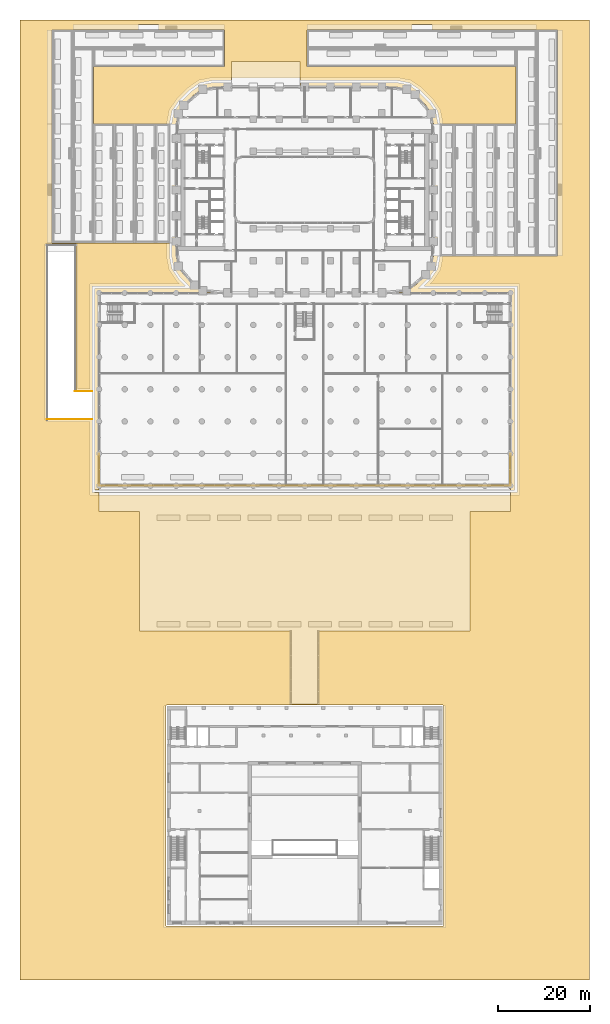
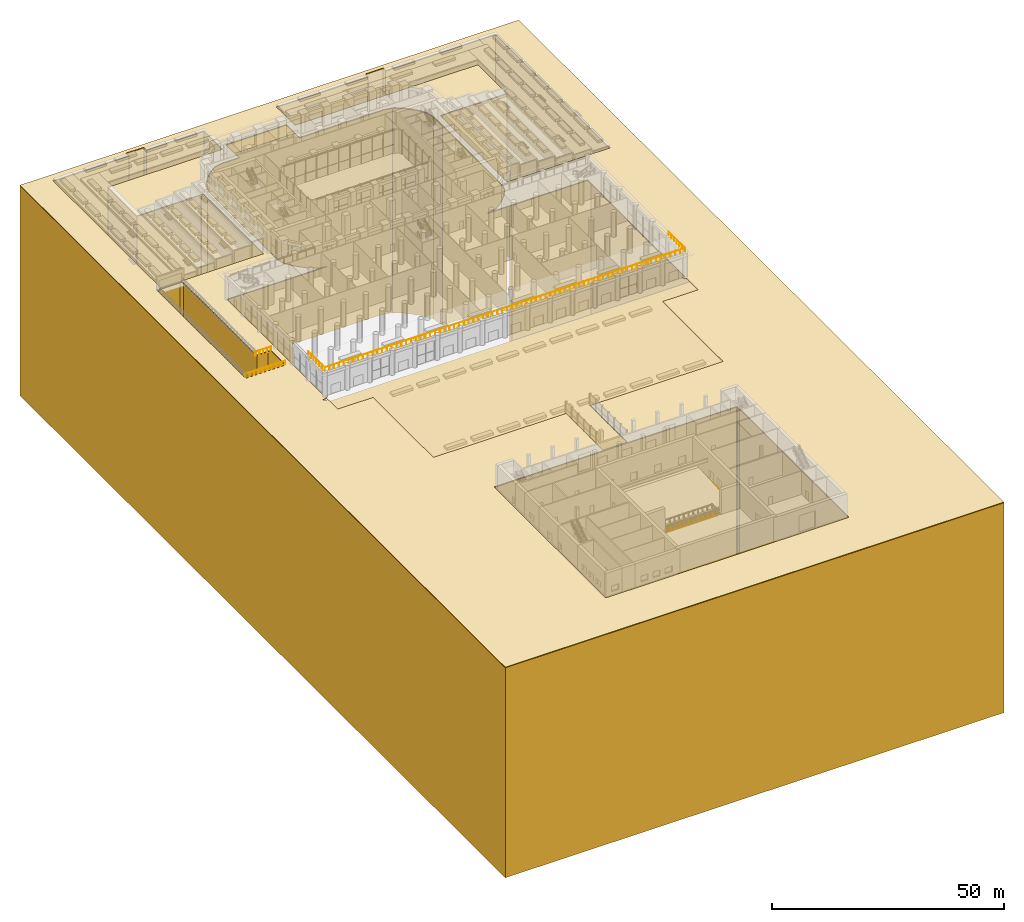
# One storey, part 45 of 51: 3 railings, 2 coverings.
"""IFC4 building model written with IfcOpenShell, lengths in metres."""

from ifc_helpers import new_model, si_unit, direction, frame, origin, origin_2d, place, context, subcontext, project, spatial, polyline, circle, outline, extrude, material, layer, layer_set, type_object, element, save


model = new_model("IFC4")

# Units and contexts
model_context = context("Model", 3, precision=1e-05, world=origin(), true_north=direction((0.0, 1.0)))
body_context = subcontext(model_context, "Body", "Model", "MODEL_VIEW")
ifc_project = project(units=[si_unit("LENGTHUNIT", "METRE"), si_unit("AREAUNIT", "SQUARE_METRE"), si_unit("VOLUMEUNIT", "CUBIC_METRE"), si_unit("PLANEANGLEUNIT", "RADIAN"), si_unit("MASSUNIT", "GRAM", prefix="KILO")], contexts=[model_context])

# Site, building, storey
site_placement = place(None, origin())
site = spatial("IfcSite", under=ifc_project, at=site_placement, CompositionType="ELEMENT")
building_placement = place(site_placement, origin())
building = spatial("IfcBuilding", under=site, at=building_placement, Name="Kiln Ring Residences", CompositionType="ELEMENT")
storey_placement = place(building_placement, origin())
storey = spatial("IfcBuildingStorey", under=building, at=storey_placement, Name="L00", CompositionType="ELEMENT", Elevation=0.0)

# Covering
ifc_material_1 = material(Name="Compacted fill and subsoil")
ifc_layer_1 = layer(ifc_material_1, 1.0)
ifc_layer_set_1 = layer_set([ifc_layer_1], Name="COMPACTED FILL AND SUBSOIL")
covering_type_1 = type_object("IfcCoveringType", Name="COMPACTED FILL AND SUBSOIL", PredefinedType="USERDEFINED", material=ifc_layer_set_1)
covering_1_placement = place(storey_placement, frame((0.0, 0.0, -55.35009765625)))
element("IfcCovering", 1, at=covering_1_placement, inside=storey, type_object=covering_type_1, Name="Compacted fill and subsoil", ObjectType="SITE GROUND", PredefinedType="USERDEFINED", context=body_context, shape_type="SweptSolid", body=[
    extrude(outline(polyline([(-62.0, -172.0), (62.0, -172.0), (62.0, 37.0), (-62.0, 37.0), (-62.0, -172.0)]), holes=[polyline([(-46.77001953125, -50.419921875), (-56.219970703125, -50.419921875), (-56.219970703125, -50.1201171875), (-56.52001953125, -50.1201171875), (-56.52001953125, -11.780029296875), (-55.580078125, -11.780029296875), (-55.580078125, -11.800048828125), (-50.419921875, -11.800048828125), (-50.419921875, -11.780029296875), (-49.47998046875, -11.780029296875), (-49.47998046875, -43.3798828125), (-46.77001953125, -43.3798828125), (-46.77001953125, -20.429931640625), (-27.226806640625, -20.429931640625), (-27.8662109375, -19.790283203125), (-29.481689453125, -17.413818359375), (-29.995361328125, -14.719970703125), (-29.995361328125, -14.719970703125), (-29.99853515625, -14.70361328125), (-30.0029296875, -14.679931640625), (-30.0029296875, -14.679931640625), (-30.02001953125, -14.5908203125), (-30.02001953125, -11.5), (-55.0, -11.5), (-55.0, 14.39990234375), (-55.0, 34.85009765625), (-50.5, 34.85009765625), (-46.0, 34.85009765625), (-36.199951171875, 34.85009765625), (-36.199951171875, 35.989990234375), (-31.800048828125, 35.989990234375), (-31.800048828125, 34.85009765625), (-17.5, 34.85009765625), (-17.5, 30.85009765625), (-17.5, 26.85009765625), (-46.0, 26.85009765625), (-46.0, 14.39990234375), (-30.02001953125, 14.39990234375), (-30.02001953125, 14.5908203125), (-30.0029296875, 14.679931640625), (-30.0029296875, 14.679931640625), (-29.99853515625, 14.70361328125), (-29.995361328125, 14.719970703125), (-29.995361328125, 14.719970703125), (-29.481689453125, 17.413818359375), (-27.8662109375, 19.790283203125), (-25.390380859375, 22.266357421875), (-23.013671875, 23.881591796875), (-20.19091796875, 24.419921875), (20.19091796875, 24.419921875), (23.013671875, 23.881591796875), (25.390380859375, 22.266357421875), (27.8662109375, 19.790283203125), (29.481689453125, 17.413818359375), (29.995361328125, 14.719970703125), (29.995361328125, 14.719970703125), (29.99853515625, 14.70361328125), (30.0029296875, 14.679931640625), (30.0029296875, 14.679931640625), (30.02001953125, 14.5908203125), (30.02001953125, 14.39990234375), (46.0, 14.39990234375), (46.0, 26.85009765625), (0.5, 26.85009765625), (0.5, 30.85009765625), (0.5, 34.85009765625), (23.300048828125, 34.85009765625), (23.300048828125, 35.989990234375), (27.699951171875, 35.989990234375), (27.699951171875, 34.85009765625), (46.0, 34.85009765625), (50.5, 34.85009765625), (55.0, 34.85009765625), (55.0, 14.39990234375), (55.0, -14.39990234375), (30.02001953125, -14.39990234375), (30.02001953125, -14.5908203125), (30.0029296875, -14.679931640625), (30.0029296875, -14.679931640625), (29.99853515625, -14.70361328125), (29.995361328125, -14.719970703125), (29.995361328125, -14.719970703125), (29.481689453125, -17.413818359375), (27.8662109375, -19.790283203125), (27.226806640625, -20.429931640625), (46.77001953125, -20.429931640625), (46.77001953125, -66.3701171875), (-46.77001953125, -66.3701171875), (-46.77001953125, -50.419921875)]), polyline([(-30.23095703125, -112.30419921875), (-30.220458984375, -112.2822265625), (-30.2080078125, -112.260986328125), (-30.193359375, -112.241455078125), (-30.1767578125, -112.22314453125), (-30.15869140625, -112.206787109375), (-30.138916015625, -112.192138671875), (-30.117919921875, -112.179443359375), (-30.095703125, -112.1689453125), (-30.072509765625, -112.160888671875), (-30.048828125, -112.15478515625), (-30.0244140625, -112.151123046875), (-30.0, -112.14990234375), (30.0, -112.14990234375), (30.0244140625, -112.151123046875), (30.048828125, -112.15478515625), (30.072509765625, -112.160888671875), (30.095703125, -112.1689453125), (30.117919921875, -112.179443359375), (30.138916015625, -112.192138671875), (30.15869140625, -112.206787109375), (30.1767578125, -112.22314453125), (30.193359375, -112.241455078125), (30.2080078125, -112.260986328125), (30.220458984375, -112.2822265625), (30.23095703125, -112.30419921875), (30.2392578125, -112.327392578125), (30.2451171875, -112.351318359375), (30.248779296875, -112.37548828125), (30.2490234375, -112.3798828125), (30.6201171875, -112.3798828125), (30.6201171875, -160.6201171875), (-30.6201171875, -160.6201171875), (-30.6201171875, -112.3798828125), (-30.2490234375, -112.3798828125), (-30.248779296875, -112.37548828125), (-30.2451171875, -112.351318359375), (-30.2392578125, -112.327392578125), (-30.23095703125, -112.30419921875)])]), origin(), (0.0, 0.0, 1.0), 55.2001953125),
])

# Railings
ifc_material_2 = material(Name="Black powder-coated steel", Category="steel")
railing_type_1 = type_object("IfcRailingType", Name="RAMP GUARD 1100", PredefinedType="GUARDRAIL", material=ifc_material_2)
railing_1_placement = place(storey_placement, frame((-56.199951171875, -49.949951171875, 0.0)))
element("IfcRailing", 2, at=railing_1_placement, inside=storey, type_object=railing_type_1, Name="Ramp guard S", PredefinedType="GUARDRAIL", context=body_context, shape_type="SweptSolid", body=[
    extrude(circle(Radius=0.02392578125, at=origin_2d()), frame((0.0, 0.0, 1.076171875), z_axis=(1.0, 0.0, 0.0), x_axis=(0.0, 1.0, 0.0)), (0.0, 0.0, 1.0), 9.949951171875),
    extrude(circle(Radius=0.02099609375, at=origin_2d()), origin(), (0.0, 0.0, 1.0), 1.052001953125),
    extrude(circle(Radius=0.02099609375, at=origin_2d()), frame((1.10546875, 0.0, 0.0)), (0.0, 0.0, 1.0), 1.052001953125),
    extrude(circle(Radius=0.02099609375, at=origin_2d()), frame((2.211181640625, 0.0, 0.0)), (0.0, 0.0, 1.0), 1.052001953125),
    extrude(circle(Radius=0.02099609375, at=origin_2d()), frame((3.316650390625, 0.0, 0.0)), (0.0, 0.0, 1.0), 1.052001953125),
    extrude(circle(Radius=0.02099609375, at=origin_2d()), frame((4.422119140625, 0.0, 0.0)), (0.0, 0.0, 1.0), 1.052001953125),
    extrude(circle(Radius=0.02099609375, at=origin_2d()), frame((5.52783203125, 0.0, 0.0)), (0.0, 0.0, 1.0), 1.052001953125),
    extrude(circle(Radius=0.02099609375, at=origin_2d()), frame((6.63330078125, 0.0, 0.0)), (0.0, 0.0, 1.0), 1.052001953125),
    extrude(circle(Radius=0.02099609375, at=origin_2d()), frame((7.73876953125, 0.0, 0.0)), (0.0, 0.0, 1.0), 1.052001953125),
    extrude(circle(Radius=0.02099609375, at=origin_2d()), frame((8.844482421875, 0.0, 0.0)), (0.0, 0.0, 1.0), 1.052001953125),
    extrude(circle(Radius=0.02099609375, at=origin_2d()), frame((9.949951171875, 0.0, 0.0)), (0.0, 0.0, 1.0), 1.052001953125),
])
railing_2_placement = place(storey_placement, frame((-50.10009765625, -43.85009765625, 0.0)))
element("IfcRailing", 3, at=railing_2_placement, inside=storey, type_object=railing_type_1, Name="Ramp guard N", PredefinedType="GUARDRAIL", context=body_context, shape_type="SweptSolid", body=[
    extrude(circle(Radius=0.02392578125, at=origin_2d()), frame((0.0, 0.0, 1.076171875), z_axis=(1.0, 0.0, 0.0), x_axis=(0.0, 1.0, 0.0)), (0.0, 0.0, 1.0), 3.85009765625),
    extrude(circle(Radius=0.02099609375, at=origin_2d()), origin(), (0.0, 0.0, 1.0), 1.052001953125),
    extrude(circle(Radius=0.02099609375, at=origin_2d()), frame((0.96240234375, 0.0, 0.0)), (0.0, 0.0, 1.0), 1.052001953125),
    extrude(circle(Radius=0.02099609375, at=origin_2d()), frame((1.925048828125, 0.0, 0.0)), (0.0, 0.0, 1.0), 1.052001953125),
    extrude(circle(Radius=0.02099609375, at=origin_2d()), frame((2.8876953125, 0.0, 0.0)), (0.0, 0.0, 1.0), 1.052001953125),
    extrude(circle(Radius=0.02099609375, at=origin_2d()), frame((3.85009765625, 0.0, 0.0)), (0.0, 0.0, 1.0), 1.052001953125),
])

# Covering
ifc_material_3 = material(Name="Paving and landscape")
ifc_layer_2 = layer(ifc_material_3, 0.14990234375)
ifc_layer_set_2 = layer_set([ifc_layer_2], Name="SITE GROUND SKIN 150")
covering_type_2 = type_object("IfcCoveringType", Name="SITE GROUND SKIN 150", PredefinedType="USERDEFINED", material=ifc_layer_set_2)
covering_2_placement = place(storey_placement, frame((0.0, 0.0, -0.14990234375)))
element("IfcCovering", 4, at=covering_2_placement, inside=storey, type_object=covering_type_2, Name="Site ground", ObjectType="SITE GROUND", PredefinedType="USERDEFINED", context=body_context, shape_type="SweptSolid", body=[
    extrude(outline(polyline([(-62.0, -172.0), (62.0, -172.0), (62.0, 37.0), (-62.0, 37.0), (-62.0, -172.0)]), holes=[polyline([(-45.75, -65.85009765625), (-45.75, -65.35009765625), (-44.800048828125, -65.35009765625), (-44.800048828125, -65.02001953125), (-44.799072265625, -65.02001953125), (-44.740234375, -65.01708984375), (-44.73828125, -65.016845703125), (-44.679931640625, -65.00830078125), (-44.677978515625, -65.0078125), (-44.62109375, -64.99365234375), (-44.619140625, -64.992919921875), (-44.563720703125, -64.97314453125), (-44.561767578125, -64.972412109375), (-44.508544921875, -64.947265625), (-44.5068359375, -64.9462890625), (-44.456298828125, -64.916015625), (-44.45458984375, -64.914794921875), (-44.407470703125, -64.8798828125), (-44.406005859375, -64.878662109375), (-44.3623046875, -64.839111328125), (-44.36083984375, -64.837646484375), (-44.3212890625, -64.794189453125), (-44.320068359375, -64.79248046875), (-44.28515625, -64.745361328125), (-44.283935546875, -64.74365234375), (-44.253662109375, -64.693115234375), (-44.252685546875, -64.69140625), (-44.2275390625, -64.63818359375), (-44.226806640625, -64.63623046875), (-44.20703125, -64.580810546875), (-44.206298828125, -64.5791015625), (-44.192138671875, -64.52197265625), (-44.191650390625, -64.52001953125), (-44.18310546875, -64.461669921875), (-44.182861328125, -64.459716796875), (-44.179931640625, -64.40087890625), (-44.179931640625, -64.39990234375), (-44.800048828125, -64.39990234375), (-44.800048828125, -22.39990234375), (-20.0, -22.39990234375), (-22.224365234375, -21.9755859375), (-24.09716796875, -20.702880859375), (-26.302978515625, -18.4970703125), (-27.57568359375, -16.624267578125), (-28.0, -14.39990234375), (-28.0, 14.39990234375), (-27.57568359375, 16.624267578125), (-26.302978515625, 18.4970703125), (-24.09716796875, 20.702880859375), (-22.224365234375, 21.9755859375), (-20.0, 22.39990234375), (-15.8798828125, 22.39990234375), (-15.8798828125, 23.300048828125), (-15.880126953125, 23.302001953125), (-15.88037109375, 23.303955078125), (-15.880859375, 23.305908203125), (-15.881591796875, 23.3076171875), (-15.88232421875, 23.309326171875), (-15.88330078125, 23.31103515625), (-15.884521484375, 23.312744140625), (-15.885986328125, 23.314208984375), (-15.88720703125, 23.3154296875), (-15.888916015625, 23.316650390625), (-15.890625, 23.317626953125), (-15.892333984375, 23.318603515625), (-15.894287109375, 23.319091796875), (-15.89599609375, 23.319580078125), (-15.89794921875, 23.31982421875), (-15.89990234375, 23.320068359375), (-16.0, 23.320068359375), (-16.0, 28.0), (-1.0, 28.0), (-1.0, 22.39990234375), (20.0, 22.39990234375), (22.224365234375, 21.9755859375), (24.09716796875, 20.702880859375), (26.302978515625, 18.4970703125), (27.57568359375, 16.624267578125), (28.0, 14.39990234375), (28.0, -14.39990234375), (27.57568359375, -16.624267578125), (26.302978515625, -18.4970703125), (24.09716796875, -20.702880859375), (22.224365234375, -21.9755859375), (20.0, -22.39990234375), (44.800048828125, -22.39990234375), (44.800048828125, -64.39990234375), (44.179931640625, -64.39990234375), (44.179931640625, -64.40087890625), (44.182861328125, -64.459716796875), (44.18310546875, -64.461669921875), (44.191650390625, -64.52001953125), (44.192138671875, -64.52197265625), (44.206298828125, -64.5791015625), (44.20703125, -64.580810546875), (44.226806640625, -64.63623046875), (44.2275390625, -64.63818359375), (44.252685546875, -64.69140625), (44.253662109375, -64.693115234375), (44.283935546875, -64.74365234375), (44.28515625, -64.745361328125), (44.320068359375, -64.79248046875), (44.3212890625, -64.794189453125), (44.36083984375, -64.837646484375), (44.3623046875, -64.839111328125), (44.406005859375, -64.878662109375), (44.407470703125, -64.8798828125), (44.45458984375, -64.914794921875), (44.456298828125, -64.916015625), (44.5068359375, -64.9462890625), (44.508544921875, -64.947265625), (44.561767578125, -64.972412109375), (44.563720703125, -64.97314453125), (44.619140625, -64.992919921875), (44.62109375, -64.99365234375), (44.677978515625, -65.0078125), (44.679931640625, -65.00830078125), (44.73828125, -65.016845703125), (44.740234375, -65.01708984375), (44.799072265625, -65.02001953125), (44.800048828125, -65.02001953125), (44.800048828125, -70.0), (36.0, -70.0), (36.0, -96.0), (3.0, -96.0), (3.0, -111.89990234375), (-3.0, -111.89990234375), (-3.0, -96.0), (-36.0, -96.0), (-36.0, -70.0), (-44.800048828125, -70.0), (-44.800048828125, -65.85009765625), (-45.75, -65.85009765625)]), polyline([(-56.199951171875, -11.800048828125), (-55.89990234375, -11.800048828125), (-50.10009765625, -11.800048828125), (-49.800048828125, -11.800048828125), (-49.800048828125, -43.699951171875), (-46.199951171875, -43.699951171875), (-46.199951171875, -50.10009765625), (-49.800048828125, -50.10009765625), (-56.199951171875, -50.10009765625), (-56.199951171875, -43.699951171875), (-56.199951171875, -11.800048828125)]), polyline([(-55.0, -11.5), (-55.0, 14.39990234375), (-55.0, 34.85009765625), (-50.5, 34.85009765625), (-46.0, 34.85009765625), (-36.199951171875, 34.85009765625), (-36.199951171875, 35.989990234375), (-31.800048828125, 35.989990234375), (-31.800048828125, 34.85009765625), (-17.5, 34.85009765625), (-17.5, 30.85009765625), (-17.5, 26.85009765625), (-46.0, 26.85009765625), (-46.0, 14.39990234375), (-29.449951171875, 14.39990234375), (-29.449951171875, -11.5), (-55.0, -11.5)]), polyline([(-30.048828125, -160.2451171875), (-30.072509765625, -160.2392578125), (-30.095703125, -160.23095703125), (-30.117919921875, -160.220458984375), (-30.138916015625, -160.2080078125), (-30.15869140625, -160.193359375), (-30.1767578125, -160.1767578125), (-30.193359375, -160.15869140625), (-30.2080078125, -160.138916015625), (-30.220458984375, -160.117919921875), (-30.23095703125, -160.095703125), (-30.2392578125, -160.072509765625), (-30.2451171875, -160.048828125), (-30.248779296875, -160.0244140625), (-30.25, -160.0), (-30.25, -112.39990234375), (-30.248779296875, -112.37548828125), (-30.2451171875, -112.351318359375), (-30.2392578125, -112.327392578125), (-30.23095703125, -112.30419921875), (-30.220458984375, -112.2822265625), (-30.2080078125, -112.260986328125), (-30.193359375, -112.241455078125), (-30.1767578125, -112.22314453125), (-30.15869140625, -112.206787109375), (-30.138916015625, -112.192138671875), (-30.117919921875, -112.179443359375), (-30.095703125, -112.1689453125), (-30.072509765625, -112.160888671875), (-30.048828125, -112.15478515625), (-30.0244140625, -112.151123046875), (-30.0, -112.14990234375), (30.0, -112.14990234375), (30.0244140625, -112.151123046875), (30.048828125, -112.15478515625), (30.072509765625, -112.160888671875), (30.095703125, -112.1689453125), (30.117919921875, -112.179443359375), (30.138916015625, -112.192138671875), (30.15869140625, -112.206787109375), (30.1767578125, -112.22314453125), (30.193359375, -112.241455078125), (30.2080078125, -112.260986328125), (30.220458984375, -112.2822265625), (30.23095703125, -112.30419921875), (30.2392578125, -112.327392578125), (30.2451171875, -112.351318359375), (30.248779296875, -112.37548828125), (30.25, -112.39990234375), (30.25, -160.0), (30.248779296875, -160.0244140625), (30.2451171875, -160.048828125), (30.2392578125, -160.072509765625), (30.23095703125, -160.095703125), (30.220458984375, -160.117919921875), (30.2080078125, -160.138916015625), (30.193359375, -160.15869140625), (30.1767578125, -160.1767578125), (30.15869140625, -160.193359375), (30.138916015625, -160.2080078125), (30.117919921875, -160.220458984375), (30.095703125, -160.23095703125), (30.072509765625, -160.2392578125), (30.048828125, -160.2451171875), (30.0244140625, -160.248779296875), (30.0, -160.25), (-30.0, -160.25), (-30.0244140625, -160.248779296875), (-30.048828125, -160.2451171875)]), polyline([(46.0, 14.39990234375), (46.0, 26.85009765625), (0.5, 26.85009765625), (0.5, 30.85009765625), (0.5, 34.85009765625), (23.300048828125, 34.85009765625), (23.300048828125, 35.989990234375), (27.699951171875, 35.989990234375), (27.699951171875, 34.85009765625), (46.0, 34.85009765625), (50.5, 34.85009765625), (55.0, 34.85009765625), (55.0, 14.39990234375), (55.0, -14.39990234375), (29.449951171875, -14.39990234375), (29.449951171875, 14.39990234375), (46.0, 14.39990234375)])]), origin(), (0.0, 0.0, 1.0), 0.14990234375),
])

# Railing
ifc_material_4 = material(Name="Black powder-coated steel", Category="steel")
railing_type_2 = type_object("IfcRailingType", Name="TERRACE GUARD 1100", PredefinedType="GUARDRAIL", material=ifc_material_4)
railing_3_placement = place(storey_placement, frame((-44.800048828125, -57.39990234375, 6.5)))
element("IfcRailing", 5, at=railing_3_placement, inside=storey, type_object=railing_type_2, Name="GUARD terrace L00", PredefinedType="GUARDRAIL", context=body_context, shape_type="SweptSolid", body=[
    extrude(circle(Radius=0.02392578125, at=origin_2d()), frame((0.0, 0.0, 1.076171875), z_axis=(0.0, -1.0, 0.0), x_axis=(1.0, 0.0, 0.0)), (0.0, 0.0, 1.0), 7.0),
    extrude(circle(Radius=0.02392578125, at=origin_2d()), frame((0.0, -7.0, 1.076171875), z_axis=(1.0, 0.0, 0.0), x_axis=(0.0, 1.0, 0.0)), (0.0, 0.0, 1.0), 89.60009765625),
    extrude(circle(Radius=0.02392578125, at=origin_2d()), frame((89.60009765625, -7.0, 1.076171875), z_axis=(0.0, 1.0, 0.0), x_axis=(-1.0, 0.0, 0.0)), (0.0, 0.0, 1.0), 7.0),
    extrude(circle(Radius=0.02099609375, at=origin_2d()), origin(), (0.0, 0.0, 1.0), 1.052001953125),
    extrude(circle(Radius=0.02099609375, at=origin_2d()), frame((0.0, -1.166748046875, 0.0)), (0.0, 0.0, 1.0), 1.052001953125),
    extrude(circle(Radius=0.02099609375, at=origin_2d()), frame((0.0, -2.333251953125, 0.0)), (0.0, 0.0, 1.0), 1.052001953125),
    extrude(circle(Radius=0.02099609375, at=origin_2d()), frame((0.0, -3.5, 0.0)), (0.0, 0.0, 1.0), 1.052001953125),
    extrude(circle(Radius=0.02099609375, at=origin_2d()), frame((0.0, -4.666748046875, 0.0)), (0.0, 0.0, 1.0), 1.052001953125),
    extrude(circle(Radius=0.02099609375, at=origin_2d()), frame((0.0, -5.833251953125, 0.0)), (0.0, 0.0, 1.0), 1.052001953125),
    extrude(circle(Radius=0.02099609375, at=origin_2d()), frame((0.0, -7.0, 0.0)), (0.0, 0.0, 1.0), 1.052001953125),
    extrude(circle(Radius=0.02099609375, at=origin_2d()), frame((1.194580078125, -7.0, 0.0)), (0.0, 0.0, 1.0), 1.052001953125),
    extrude(circle(Radius=0.02099609375, at=origin_2d()), frame((2.389404296875, -7.0, 0.0)), (0.0, 0.0, 1.0), 1.052001953125),
    extrude(circle(Radius=0.02099609375, at=origin_2d()), frame((3.583984375, -7.0, 0.0)), (0.0, 0.0, 1.0), 1.052001953125),
    extrude(circle(Radius=0.02099609375, at=origin_2d()), frame((4.778564453125, -7.0, 0.0)), (0.0, 0.0, 1.0), 1.052001953125),
    extrude(circle(Radius=0.02099609375, at=origin_2d()), frame((5.973388671875, -7.0, 0.0)), (0.0, 0.0, 1.0), 1.052001953125),
    extrude(circle(Radius=0.02099609375, at=origin_2d()), frame((7.16796875, -7.0, 0.0)), (0.0, 0.0, 1.0), 1.052001953125),
    extrude(circle(Radius=0.02099609375, at=origin_2d()), frame((8.36279296875, -7.0, 0.0)), (0.0, 0.0, 1.0), 1.052001953125),
    extrude(circle(Radius=0.02099609375, at=origin_2d()), frame((9.557373046875, -7.0, 0.0)), (0.0, 0.0, 1.0), 1.052001953125),
    extrude(circle(Radius=0.02099609375, at=origin_2d()), frame((10.751953125, -7.0, 0.0)), (0.0, 0.0, 1.0), 1.052001953125),
    extrude(circle(Radius=0.02099609375, at=origin_2d()), frame((11.94677734375, -7.0, 0.0)), (0.0, 0.0, 1.0), 1.052001953125),
    extrude(circle(Radius=0.02099609375, at=origin_2d()), frame((13.141357421875, -7.0, 0.0)), (0.0, 0.0, 1.0), 1.052001953125),
    extrude(circle(Radius=0.02099609375, at=origin_2d()), frame((14.3359375, -7.0, 0.0)), (0.0, 0.0, 1.0), 1.052001953125),
    extrude(circle(Radius=0.02099609375, at=origin_2d()), frame((15.53076171875, -7.0, 0.0)), (0.0, 0.0, 1.0), 1.052001953125),
    extrude(circle(Radius=0.02099609375, at=origin_2d()), frame((16.725341796875, -7.0, 0.0)), (0.0, 0.0, 1.0), 1.052001953125),
    extrude(circle(Radius=0.02099609375, at=origin_2d()), frame((17.919921875, -7.0, 0.0)), (0.0, 0.0, 1.0), 1.052001953125),
    extrude(circle(Radius=0.02099609375, at=origin_2d()), frame((19.11474609375, -7.0, 0.0)), (0.0, 0.0, 1.0), 1.052001953125),
    extrude(circle(Radius=0.02099609375, at=origin_2d()), frame((20.309326171875, -7.0, 0.0)), (0.0, 0.0, 1.0), 1.052001953125),
    extrude(circle(Radius=0.02099609375, at=origin_2d()), frame((21.50390625, -7.0, 0.0)), (0.0, 0.0, 1.0), 1.052001953125),
    extrude(circle(Radius=0.02099609375, at=origin_2d()), frame((22.69873046875, -7.0, 0.0)), (0.0, 0.0, 1.0), 1.052001953125),
    extrude(circle(Radius=0.02099609375, at=origin_2d()), frame((23.893310546875, -7.0, 0.0)), (0.0, 0.0, 1.0), 1.052001953125),
    extrude(circle(Radius=0.02099609375, at=origin_2d()), frame((25.088134765625, -7.0, 0.0)), (0.0, 0.0, 1.0), 1.052001953125),
    extrude(circle(Radius=0.02099609375, at=origin_2d()), frame((26.28271484375, -7.0, 0.0)), (0.0, 0.0, 1.0), 1.052001953125),
    extrude(circle(Radius=0.02099609375, at=origin_2d()), frame((27.477294921875, -7.0, 0.0)), (0.0, 0.0, 1.0), 1.052001953125),
    extrude(circle(Radius=0.02099609375, at=origin_2d()), frame((28.672119140625, -7.0, 0.0)), (0.0, 0.0, 1.0), 1.052001953125),
    extrude(circle(Radius=0.02099609375, at=origin_2d()), frame((29.86669921875, -7.0, 0.0)), (0.0, 0.0, 1.0), 1.052001953125),
    extrude(circle(Radius=0.02099609375, at=origin_2d()), frame((31.061279296875, -7.0, 0.0)), (0.0, 0.0, 1.0), 1.052001953125),
    extrude(circle(Radius=0.02099609375, at=origin_2d()), frame((32.256103515625, -7.0, 0.0)), (0.0, 0.0, 1.0), 1.052001953125),
    extrude(circle(Radius=0.02099609375, at=origin_2d()), frame((33.45068359375, -7.0, 0.0)), (0.0, 0.0, 1.0), 1.052001953125),
    extrude(circle(Radius=0.02099609375, at=origin_2d()), frame((34.645263671875, -7.0, 0.0)), (0.0, 0.0, 1.0), 1.052001953125),
    extrude(circle(Radius=0.02099609375, at=origin_2d()), frame((35.840087890625, -7.0, 0.0)), (0.0, 0.0, 1.0), 1.052001953125),
    extrude(circle(Radius=0.02099609375, at=origin_2d()), frame((37.03466796875, -7.0, 0.0)), (0.0, 0.0, 1.0), 1.052001953125),
    extrude(circle(Radius=0.02099609375, at=origin_2d()), frame((38.2294921875, -7.0, 0.0)), (0.0, 0.0, 1.0), 1.052001953125),
    extrude(circle(Radius=0.02099609375, at=origin_2d()), frame((39.424072265625, -7.0, 0.0)), (0.0, 0.0, 1.0), 1.052001953125),
    extrude(circle(Radius=0.02099609375, at=origin_2d()), frame((40.61865234375, -7.0, 0.0)), (0.0, 0.0, 1.0), 1.052001953125),
    extrude(circle(Radius=0.02099609375, at=origin_2d()), frame((41.8134765625, -7.0, 0.0)), (0.0, 0.0, 1.0), 1.052001953125),
    extrude(circle(Radius=0.02099609375, at=origin_2d()), frame((43.008056640625, -7.0, 0.0)), (0.0, 0.0, 1.0), 1.052001953125),
    extrude(circle(Radius=0.02099609375, at=origin_2d()), frame((44.20263671875, -7.0, 0.0)), (0.0, 0.0, 1.0), 1.052001953125),
    extrude(circle(Radius=0.02099609375, at=origin_2d()), frame((45.3974609375, -7.0, 0.0)), (0.0, 0.0, 1.0), 1.052001953125),
    extrude(circle(Radius=0.02099609375, at=origin_2d()), frame((46.592041015625, -7.0, 0.0)), (0.0, 0.0, 1.0), 1.052001953125),
    extrude(circle(Radius=0.02099609375, at=origin_2d()), frame((47.78662109375, -7.0, 0.0)), (0.0, 0.0, 1.0), 1.052001953125),
    extrude(circle(Radius=0.02099609375, at=origin_2d()), frame((48.9814453125, -7.0, 0.0)), (0.0, 0.0, 1.0), 1.052001953125),
    extrude(circle(Radius=0.02099609375, at=origin_2d()), frame((50.176025390625, -7.0, 0.0)), (0.0, 0.0, 1.0), 1.052001953125),
    extrude(circle(Radius=0.02099609375, at=origin_2d()), frame((51.37060546875, -7.0, 0.0)), (0.0, 0.0, 1.0), 1.052001953125),
    extrude(circle(Radius=0.02099609375, at=origin_2d()), frame((52.5654296875, -7.0, 0.0)), (0.0, 0.0, 1.0), 1.052001953125),
    extrude(circle(Radius=0.02099609375, at=origin_2d()), frame((53.760009765625, -7.0, 0.0)), (0.0, 0.0, 1.0), 1.052001953125),
    extrude(circle(Radius=0.02099609375, at=origin_2d()), frame((54.954833984375, -7.0, 0.0)), (0.0, 0.0, 1.0), 1.052001953125),
    extrude(circle(Radius=0.02099609375, at=origin_2d()), frame((56.1494140625, -7.0, 0.0)), (0.0, 0.0, 1.0), 1.052001953125),
    extrude(circle(Radius=0.02099609375, at=origin_2d()), frame((57.343994140625, -7.0, 0.0)), (0.0, 0.0, 1.0), 1.052001953125),
    extrude(circle(Radius=0.02099609375, at=origin_2d()), frame((58.538818359375, -7.0, 0.0)), (0.0, 0.0, 1.0), 1.052001953125),
    extrude(circle(Radius=0.02099609375, at=origin_2d()), frame((59.7333984375, -7.0, 0.0)), (0.0, 0.0, 1.0), 1.052001953125),
    extrude(circle(Radius=0.02099609375, at=origin_2d()), frame((60.927978515625, -7.0, 0.0)), (0.0, 0.0, 1.0), 1.052001953125),
    extrude(circle(Radius=0.02099609375, at=origin_2d()), frame((62.122802734375, -7.0, 0.0)), (0.0, 0.0, 1.0), 1.052001953125),
    extrude(circle(Radius=0.02099609375, at=origin_2d()), frame((63.3173828125, -7.0, 0.0)), (0.0, 0.0, 1.0), 1.052001953125),
    extrude(circle(Radius=0.02099609375, at=origin_2d()), frame((64.511962890625, -7.0, 0.0)), (0.0, 0.0, 1.0), 1.052001953125),
    extrude(circle(Radius=0.02099609375, at=origin_2d()), frame((65.706787109375, -7.0, 0.0)), (0.0, 0.0, 1.0), 1.052001953125),
    extrude(circle(Radius=0.02099609375, at=origin_2d()), frame((66.9013671875, -7.0, 0.0)), (0.0, 0.0, 1.0), 1.052001953125),
    extrude(circle(Radius=0.02099609375, at=origin_2d()), frame((68.09619140625, -7.0, 0.0)), (0.0, 0.0, 1.0), 1.052001953125),
    extrude(circle(Radius=0.02099609375, at=origin_2d()), frame((69.290771484375, -7.0, 0.0)), (0.0, 0.0, 1.0), 1.052001953125),
    extrude(circle(Radius=0.02099609375, at=origin_2d()), frame((70.4853515625, -7.0, 0.0)), (0.0, 0.0, 1.0), 1.052001953125),
    extrude(circle(Radius=0.02099609375, at=origin_2d()), frame((71.68017578125, -7.0, 0.0)), (0.0, 0.0, 1.0), 1.052001953125),
    extrude(circle(Radius=0.02099609375, at=origin_2d()), frame((72.874755859375, -7.0, 0.0)), (0.0, 0.0, 1.0), 1.052001953125),
    extrude(circle(Radius=0.02099609375, at=origin_2d()), frame((74.0693359375, -7.0, 0.0)), (0.0, 0.0, 1.0), 1.052001953125),
    extrude(circle(Radius=0.02099609375, at=origin_2d()), frame((75.26416015625, -7.0, 0.0)), (0.0, 0.0, 1.0), 1.052001953125),
    extrude(circle(Radius=0.02099609375, at=origin_2d()), frame((76.458740234375, -7.0, 0.0)), (0.0, 0.0, 1.0), 1.052001953125),
    extrude(circle(Radius=0.02099609375, at=origin_2d()), frame((77.6533203125, -7.0, 0.0)), (0.0, 0.0, 1.0), 1.052001953125),
    extrude(circle(Radius=0.02099609375, at=origin_2d()), frame((78.84814453125, -7.0, 0.0)), (0.0, 0.0, 1.0), 1.052001953125),
    extrude(circle(Radius=0.02099609375, at=origin_2d()), frame((80.042724609375, -7.0, 0.0)), (0.0, 0.0, 1.0), 1.052001953125),
    extrude(circle(Radius=0.02099609375, at=origin_2d()), frame((81.2373046875, -7.0, 0.0)), (0.0, 0.0, 1.0), 1.052001953125),
    extrude(circle(Radius=0.02099609375, at=origin_2d()), frame((82.43212890625, -7.0, 0.0)), (0.0, 0.0, 1.0), 1.052001953125),
    extrude(circle(Radius=0.02099609375, at=origin_2d()), frame((83.626708984375, -7.0, 0.0)), (0.0, 0.0, 1.0), 1.052001953125),
    extrude(circle(Radius=0.02099609375, at=origin_2d()), frame((84.821533203125, -7.0, 0.0)), (0.0, 0.0, 1.0), 1.052001953125),
    extrude(circle(Radius=0.02099609375, at=origin_2d()), frame((86.01611328125, -7.0, 0.0)), (0.0, 0.0, 1.0), 1.052001953125),
    extrude(circle(Radius=0.02099609375, at=origin_2d()), frame((87.210693359375, -7.0, 0.0)), (0.0, 0.0, 1.0), 1.052001953125),
    extrude(circle(Radius=0.02099609375, at=origin_2d()), frame((88.405517578125, -7.0, 0.0)), (0.0, 0.0, 1.0), 1.052001953125),
    extrude(circle(Radius=0.02099609375, at=origin_2d()), frame((89.60009765625, -7.0, 0.0)), (0.0, 0.0, 1.0), 1.052001953125),
    extrude(circle(Radius=0.02099609375, at=origin_2d()), frame((89.60009765625, -5.833251953125, 0.0)), (0.0, 0.0, 1.0), 1.052001953125),
    extrude(circle(Radius=0.02099609375, at=origin_2d()), frame((89.60009765625, -4.666748046875, 0.0)), (0.0, 0.0, 1.0), 1.052001953125),
    extrude(circle(Radius=0.02099609375, at=origin_2d()), frame((89.60009765625, -3.5, 0.0)), (0.0, 0.0, 1.0), 1.052001953125),
    extrude(circle(Radius=0.02099609375, at=origin_2d()), frame((89.60009765625, -2.333251953125, 0.0)), (0.0, 0.0, 1.0), 1.052001953125),
    extrude(circle(Radius=0.02099609375, at=origin_2d()), frame((89.60009765625, -1.166748046875, 0.0)), (0.0, 0.0, 1.0), 1.052001953125),
    extrude(circle(Radius=0.02099609375, at=origin_2d()), frame((89.60009765625, 0.0, 0.0)), (0.0, 0.0, 1.0), 1.052001953125),
])

save(model, "model.ifc")
